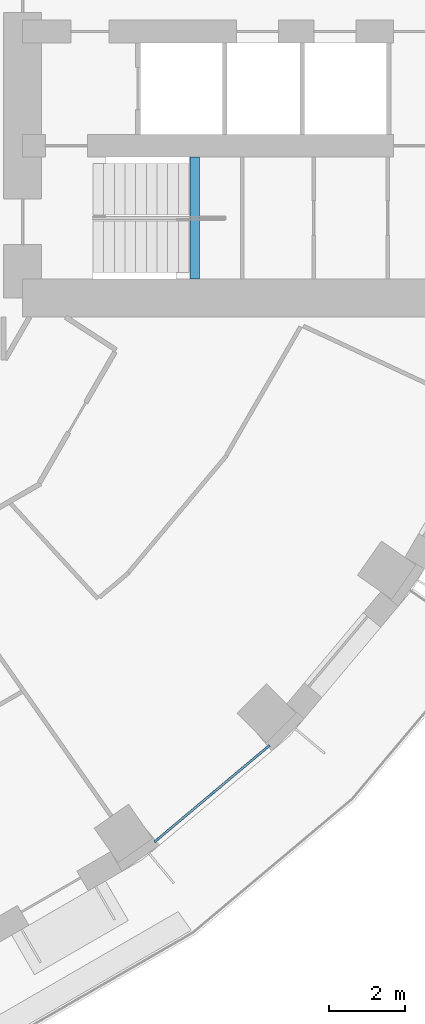
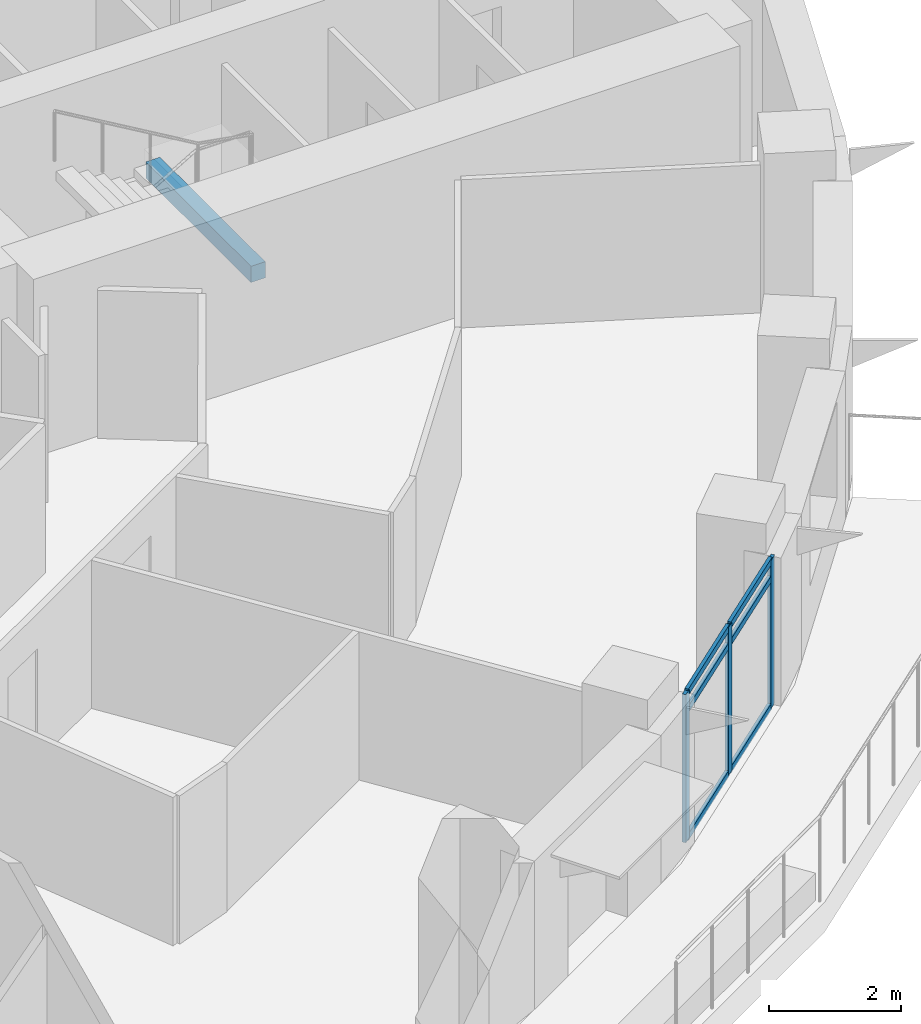
# One storey, part 3 of 16: 9 members, 1 beam, 1 element without a shape of its own.
"""IFC4 building model written with IfcOpenShell, lengths in metres."""

import ifcopenshell
import ifcopenshell.guid

model = None  # the IFC model being written
_history = None  # IfcOwnerHistory: only IFC2X3 demands one
_inside = {}  # id of a spatial element -> (the spatial element, [elements in it])
_under = {}  # id of a project, library or spatial element -> (it, [spatial elements below it])
_declared = {}  # id of a project -> (the project, [libraries it declares])
_typed = {}  # id of a type object -> (the type object, [elements of that type])
_made_of = {}  # id of a material, layer set ... -> (it, [elements and type objects made of it])


def new_model(schema):
    """Start an empty IFC model of exactly this schema.

    Asked for "IFC4X3", IfcOpenShell would pick the latest addendum, in which some entities
    have other attributes; the version numbers below select the first issue.
    IFC2X3 requires an IfcOwnerHistory on every rooted entity: one is made here for all.
    """
    global model, _history
    if schema == "IFC4X3":
        model = ifcopenshell.file(schema_version=(4, 3, 0, 0))
    else:
        model = ifcopenshell.file(schema=schema)
    _inside.clear()
    _under.clear()
    _declared.clear()
    _typed.clear()
    _made_of.clear()
    _history = None
    if model.schema == "IFC2X3":
        org = make("IfcOrganization", Name="unknown")
        user = make(
            "IfcPersonAndOrganization",
            ThePerson=make("IfcPerson", FamilyName="unknown"),
            TheOrganization=org,
        )
        app = make(
            "IfcApplication",
            ApplicationDeveloper=org,
            Version="unknown",
            ApplicationFullName="unknown",
            ApplicationIdentifier="unknown",
        )
        _history = make(
            "IfcOwnerHistory",
            OwningUser=user,
            OwningApplication=app,
            ChangeAction="ADDED",
            CreationDate=0,
        )
    return model


def make(cls, **values):
    """One entity of the class cls with the attributes given. An attribute that is None is left unset."""
    return model.create_entity(
        cls, **{name: value for name, value in values.items() if value is not None}
    )


def rooted(cls, **values):
    """An entity with a GlobalId (a new one), such as an element, a storey or a relation."""
    return make(cls, GlobalId=ifcopenshell.guid.new(), OwnerHistory=_history, **values)


def si_unit(unit_type, name, prefix=None):
    """IfcSIUnit, for example si_unit("LENGTHUNIT", "METRE", prefix="MILLI")."""
    return make("IfcSIUnit", UnitType=unit_type, Prefix=prefix, Name=name)


def assignment(units):
    """IfcUnitAssignment: the units of a project."""
    return None if units is None else make("IfcUnitAssignment", Units=units)


def point(xyz):
    """IfcCartesianPoint."""
    return None if xyz is None else make("IfcCartesianPoint", Coordinates=xyz)


def direction(xyz):
    """IfcDirection."""
    return None if xyz is None else make("IfcDirection", DirectionRatios=xyz)


def frame(location, z_axis=None, x_axis=None):
    """IfcAxis2Placement3D, a coordinate frame: its origin and axes. An axis left out is left unset."""
    return make(
        "IfcAxis2Placement3D",
        Location=point(location),
        Axis=direction(z_axis),
        RefDirection=direction(x_axis),
    )


def frame_2d(location, x_axis=None):
    """IfcAxis2Placement2D, a coordinate frame in the plane: its origin and x axis."""
    return make(
        "IfcAxis2Placement2D", Location=point(location), RefDirection=direction(x_axis)
    )


def origin():
    """The frame at (0, 0, 0) with its axes left unset."""
    return frame((0.0, 0.0, 0.0))


def origin_2d():
    """The frame at (0, 0) in the plane with its x axis left unset."""
    return frame_2d((0.0, 0.0))


def place(relative_to, where):
    """IfcLocalPlacement: puts the frame where relative to a parent placement (None: the world)."""
    return make(
        "IfcLocalPlacement", PlacementRelTo=relative_to, RelativePlacement=where
    )


def context(
    kind, dimensions, precision=None, world=None, true_north=None, identifier=None
):
    """IfcGeometricRepresentationContext, for example the 3D "Model" context."""
    return make(
        "IfcGeometricRepresentationContext",
        ContextIdentifier=identifier,
        ContextType=kind,
        CoordinateSpaceDimension=dimensions,
        Precision=precision,
        WorldCoordinateSystem=world,
        TrueNorth=true_north,
    )


def subcontext(parent, identifier, kind, view, scale=None):
    """IfcGeometricRepresentationSubContext, for example "Body" below "Model"."""
    return make(
        "IfcGeometricRepresentationSubContext",
        ContextIdentifier=identifier,
        ContextType=kind,
        ParentContext=parent,
        TargetScale=scale,
        TargetView=view,
    )


def project(units=None, contexts=None):
    """IfcProject with its units and contexts."""
    return rooted(
        "IfcProject",
        Name="project",
        RepresentationContexts=contexts,
        UnitsInContext=assignment(units),
    )


def spatial(cls, under=None, at=None, **own):
    """A site, building, storey or space (cls), placed at a placement, below another one or the project."""
    s = rooted(cls, ObjectPlacement=at, **own)
    if under is not None:
        _under.setdefault(under.id(), (under, []))[1].append(s)
    return s


def profile(cls, at=None, kind="AREA", **sizes):
    """A parametric profile (cls). Its sizes go by their IFC names, for example OverallWidth=200.0."""
    return make(cls, ProfileType=kind, Position=at, **sizes)


def rectangle(**sizes):
    """IfcRectangleProfileDef."""
    return profile("IfcRectangleProfileDef", **sizes)


def extrude(swept, where, along, depth):
    """IfcExtrudedAreaSolid: the profile swept, set in the frame where, extruded along a direction by depth."""
    return make(
        "IfcExtrudedAreaSolid",
        SweptArea=swept,
        Position=where,
        ExtrudedDirection=direction(along),
        Depth=depth,
    )


def shape(context_of_items, identifier, shape_type, items):
    """IfcShapeRepresentation: the items that make up one representation, for example the "Body"."""
    return make(
        "IfcShapeRepresentation",
        ContextOfItems=context_of_items,
        RepresentationIdentifier=identifier,
        RepresentationType=shape_type,
        Items=items,
    )


def material(Name=None, Category=None):
    """IfcMaterial."""
    return make("IfcMaterial", Name=Name, Category=Category)


def layer(
    of_material, thickness, ventilated=None, Name=None, Category=None, Priority=None
):
    """IfcMaterialLayer: one layer of a wall or slab, of a material (None: an air gap)."""
    return make(
        "IfcMaterialLayer",
        Material=of_material,
        LayerThickness=thickness,
        IsVentilated=ventilated,
        Name=Name,
        Category=Category,
        Priority=Priority,
    )


def layer_set(layers, Name=None):
    """IfcMaterialLayerSet."""
    return make("IfcMaterialLayerSet", MaterialLayers=layers, LayerSetName=Name)


def material_profile(
    of_material, cross_section, Name=None, Category=None, Priority=None
):
    """IfcMaterialProfile: a cross section and its material."""
    return make(
        "IfcMaterialProfile",
        Name=Name,
        Material=of_material,
        Profile=cross_section,
        Priority=Priority,
        Category=Category,
    )


def profile_set(profiles, Name=None, composite=None):
    """IfcMaterialProfileSet."""
    return make(
        "IfcMaterialProfileSet",
        Name=Name,
        MaterialProfiles=profiles,
        CompositeProfile=composite,
    )


def made_of(thing, what):
    """Note that an element or type object is made of a material, layer set ...; save() writes the relation."""
    if what is not None:
        _made_of.setdefault(what.id(), (what, []))[1].append(thing)
    return thing


def type_object(cls, material=None, **own):
    """A type object (cls), such as IfcWallType, which elements share."""
    return made_of(rooted(cls, **own), material)


def element(
    cls,
    number,
    at=None,
    inside=None,
    cuts=None,
    type_object=None,
    material=None,
    context=None,
    identifier="Body",
    shape_type=None,
    held_by="IfcProductDefinitionShape",
    body=None,
    shapes=None,
    **own,
):
    """One element of the class cls, such as IfcWall. Its Tag is "e" and its number.

    at: its placement. inside: the storey or other place that contains it. cuts: it is an
    opening in that element (IfcRelVoidsElement). A single representation is given by context,
    identifier, shape_type and body (its items); several are given by shapes. held_by: the class
    of the entity that holds the representations. save() writes the other relations.
    """
    e = rooted(cls, Tag="e%d" % number, ObjectPlacement=at, **own)
    if body is not None:
        shapes = [shape(context, identifier, shape_type, body)]
    if shapes is not None:
        e.Representation = make(held_by, Representations=shapes)
    if inside is not None:
        _inside.setdefault(inside.id(), (inside, []))[1].append(e)
    if cuts is not None:
        rooted(
            "IfcRelVoidsElement", RelatingBuildingElement=cuts, RelatedOpeningElement=e
        )
    if type_object is not None:
        _typed.setdefault(type_object.id(), (type_object, []))[1].append(e)
    return made_of(e, material)


def aggregate(whole, parts):
    """IfcRelAggregates: a whole, such as a stair, and the parts it consists of."""
    return rooted("IfcRelAggregates", RelatingObject=whole, RelatedObjects=parts)


def save(model, path):
    """Write the relations noted so far, then the file.

    IfcRelAggregates (storeys below a building ...), IfcRelContainedInSpatialStructure (elements
    in a storey), IfcRelDefinesByType, IfcRelAssociatesMaterial and IfcRelDeclares: one each for
    every whole, place, type object, material and project.
    """
    for whole, parts in _under.values():
        aggregate(whole, parts)
    for where, things in _inside.values():
        rooted(
            "IfcRelContainedInSpatialStructure",
            RelatedElements=things,
            RelatingStructure=where,
        )
    for kind, things in _typed.values():
        rooted("IfcRelDefinesByType", RelatedObjects=things, RelatingType=kind)
    for what, things in _made_of.values():
        rooted("IfcRelAssociatesMaterial", RelatedObjects=things, RelatingMaterial=what)
    for by, libraries in _declared.values():
        rooted("IfcRelDeclares", RelatingContext=by, RelatedDefinitions=libraries)
    model.write(path)


model = new_model("IFC4")

# Units and contexts
model_context = context("Model", 3, precision=1e-05, world=origin(), true_north=direction((0.0, 1.0)))
body_context = subcontext(model_context, "Body", "Model", "MODEL_VIEW")
ifc_project = project(units=[si_unit("LENGTHUNIT", "METRE"), si_unit("AREAUNIT", "SQUARE_METRE"), si_unit("VOLUMEUNIT", "CUBIC_METRE"), si_unit("PLANEANGLEUNIT", "RADIAN"), si_unit("MASSUNIT", "GRAM", prefix="KILO")], contexts=[model_context])

# Site, building, storey
site_placement = place(None, origin())
site = spatial("IfcSite", under=ifc_project, at=site_placement, CompositionType="ELEMENT")
building_placement = place(site_placement, origin())
building = spatial("IfcBuilding", under=site, at=building_placement, Name="Saqina Gate Tower", CompositionType="ELEMENT")
storey_placement = place(building_placement, frame((0.0, 0.0, 32.89990234375)))
storey = spatial("IfcBuildingStorey", under=building, at=storey_placement, Name="L08", CompositionType="ELEMENT", Elevation=32.89990234375)

# Curtain wall, members
ifc_material_1 = material(Name="Aluminium glazing", Category="aluminium")
ifc_layer = layer(ifc_material_1, 0.159912109375)
ifc_layer_set = layer_set([ifc_layer], Name="CWT-4")
curtain_wall_type = type_object("IfcCurtainWallType", Name="CWT-4", PredefinedType="NOTDEFINED", material=ifc_layer_set)
curtain_wall_placement = place(storey_placement, origin())
curtain_wall = element("IfcCurtainWall", 1, at=curtain_wall_placement, inside=storey, type_object=curtain_wall_type, Name="Terrace lounge glazing facet 31", PredefinedType="NOTDEFINED")
ifc_material_2 = material(Name="Aluminium", Category="aluminium")
ifc_material_profile_1 = material_profile(ifc_material_2, rectangle(XDim=0.06005859375, YDim=0.159912109375, at=origin_2d()), Name="Aluminium 60x160")
ifc_profile_set_1 = profile_set([ifc_material_profile_1], Name="Aluminium")
member_type_1 = type_object("IfcMemberType", Name="CWT-4M", PredefinedType="MULLION", material=ifc_profile_set_1)
member_1_placement = place(storey_placement, frame((17.0234375, -23.232666015625, 0.0), z_axis=(0.0, 0.0, 1.0), x_axis=(-0.642791970033, 0.766040784332, 0.0)))
member_1 = element("IfcMember", 2, at=member_1_placement, type_object=member_type_1, Name="CW4-31 mullion 1", PredefinedType="MULLION", context=body_context, shape_type="SweptSolid", body=[
    extrude(rectangle(XDim=0.06005859375, YDim=0.159912109375, at=origin_2d()), origin(), (0.0, 0.0, 1.0), 2.75),
])
member_2_placement = place(storey_placement, frame((18.473388671875, -22.015869140625, 0.0), z_axis=(0.0, 0.0, 1.0), x_axis=(-0.642791970033, 0.766040784332, 0.0)))
member_2 = element("IfcMember", 3, at=member_2_placement, type_object=member_type_1, Name="CW4-31 mullion 2", PredefinedType="MULLION", context=body_context, shape_type="SweptSolid", body=[
    extrude(rectangle(XDim=0.06005859375, YDim=0.159912109375, at=origin_2d()), origin(), (0.0, 0.0, 1.0), 2.75),
])
member_3_placement = place(storey_placement, frame((19.923583984375, -20.799072265625, 0.0), z_axis=(0.0, 0.0, 1.0), x_axis=(-0.642791970033, 0.766040784332, 0.0)))
member_3 = element("IfcMember", 4, at=member_3_placement, type_object=member_type_1, Name="CW4-31 mullion 3", PredefinedType="MULLION", context=body_context, shape_type="SweptSolid", body=[
    extrude(rectangle(XDim=0.06005859375, YDim=0.159912109375, at=origin_2d()), origin(), (0.0, 0.0, 1.0), 2.75),
])
ifc_material_3 = material(Name="Aluminium", Category="aluminium")
ifc_material_profile_2 = material_profile(ifc_material_3, rectangle(XDim=0.06005859375, YDim=0.1201171875, at=origin_2d()), Name="Aluminium 60x120")
ifc_profile_set_2 = profile_set([ifc_material_profile_2], Name="Aluminium")
member_type_2 = type_object("IfcMemberType", Name="CWT-4T", PredefinedType="USERDEFINED", material=ifc_profile_set_2)
member_4_placement = place(storey_placement, frame((17.04638671875, -23.21337890625, 0.030029296875), z_axis=(0.766022272785, 0.642814030336, 0.0), x_axis=(-0.642814030336, 0.766022272785, 0.0)))
member_4 = element("IfcMember", 5, at=member_4_placement, type_object=member_type_2, Name="CW4-31 transom 1.1", ObjectType="TRANSOM", PredefinedType="USERDEFINED", context=body_context, shape_type="SweptSolid", body=[
    extrude(rectangle(XDim=0.06005859375, YDim=0.1201171875, at=origin_2d()), origin(), (0.0, 0.0, 1.0), 1.8330078125),
])
member_5_placement = place(storey_placement, frame((17.04638671875, -23.21337890625, 2.400146484375), z_axis=(0.766022272785, 0.642814030336, 0.0), x_axis=(-0.642814030336, 0.766022272785, 0.0)))
member_5 = element("IfcMember", 6, at=member_5_placement, type_object=member_type_2, Name="CW4-31 transom 1.2", ObjectType="TRANSOM", PredefinedType="USERDEFINED", context=body_context, shape_type="SweptSolid", body=[
    extrude(rectangle(XDim=0.06005859375, YDim=0.1201171875, at=origin_2d()), origin(), (0.0, 0.0, 1.0), 1.8330078125),
])
member_6_placement = place(storey_placement, frame((17.04638671875, -23.21337890625, 2.72021484375), z_axis=(0.766022272785, 0.642814030336, 0.0), x_axis=(-0.642814030336, 0.766022272785, 0.0)))
member_6 = element("IfcMember", 7, at=member_6_placement, type_object=member_type_2, Name="CW4-31 transom 1.3", ObjectType="TRANSOM", PredefinedType="USERDEFINED", context=body_context, shape_type="SweptSolid", body=[
    extrude(rectangle(XDim=0.06005859375, YDim=0.1201171875, at=origin_2d()), origin(), (0.0, 0.0, 1.0), 1.8330078125),
])
member_7_placement = place(storey_placement, frame((18.496337890625, -21.99658203125, 0.030029296875), z_axis=(0.766077303133, 0.642748446614, 0.0), x_axis=(-0.642748446614, 0.766077303133, 0.0)))
member_7 = element("IfcMember", 8, at=member_7_placement, type_object=member_type_2, Name="CW4-31 transom 2.1", ObjectType="TRANSOM", PredefinedType="USERDEFINED", context=body_context, shape_type="SweptSolid", body=[
    extrude(rectangle(XDim=0.06005859375, YDim=0.1201171875, at=origin_2d()), origin(), (0.0, 0.0, 1.0), 1.8330078125),
])
member_8_placement = place(storey_placement, frame((18.496337890625, -21.99658203125, 2.400146484375), z_axis=(0.766077303133, 0.642748446614, 0.0), x_axis=(-0.642748446614, 0.766077303133, 0.0)))
member_8 = element("IfcMember", 9, at=member_8_placement, type_object=member_type_2, Name="CW4-31 transom 2.2", ObjectType="TRANSOM", PredefinedType="USERDEFINED", context=body_context, shape_type="SweptSolid", body=[
    extrude(rectangle(XDim=0.06005859375, YDim=0.1201171875, at=origin_2d()), origin(), (0.0, 0.0, 1.0), 1.8330078125),
])
member_9_placement = place(storey_placement, frame((18.496337890625, -21.99658203125, 2.72021484375), z_axis=(0.766077303133, 0.642748446614, 0.0), x_axis=(-0.642748446614, 0.766077303133, 0.0)))
member_9 = element("IfcMember", 10, at=member_9_placement, type_object=member_type_2, Name="CW4-31 transom 2.3", ObjectType="TRANSOM", PredefinedType="USERDEFINED", context=body_context, shape_type="SweptSolid", body=[
    extrude(rectangle(XDim=0.06005859375, YDim=0.1201171875, at=origin_2d()), origin(), (0.0, 0.0, 1.0), 1.8330078125),
])
aggregate(curtain_wall, [member_1, member_2, member_3, member_4, member_5, member_6, member_7, member_8, member_9])

# Beam
ifc_material_4 = material(Name="Concrete C40/50", Category="concrete")
ifc_material_profile_3 = material_profile(ifc_material_4, rectangle(XDim=0.25, YDim=0.300048828125, at=origin_2d()), Name="STAIR LANDING BEAM")
ifc_profile_set_3 = profile_set([ifc_material_profile_3], Name="Concrete C40/50")
beam_type = type_object("IfcBeamType", Name="STAIR LANDING BEAM", PredefinedType="BEAM", material=ifc_profile_set_3)
beam_placement = place(storey_placement, frame((18.02001953125, -8.5, 1.25), z_axis=(0.0, 1.0, 0.0), x_axis=(-1.0, 0.0, 0.0)))
element("IfcBeam", 11, at=beam_placement, inside=storey, type_object=beam_type, Name="EXIT STAIR 2 LANDING BEAM", PredefinedType="BEAM", context=body_context, shape_type="SweptSolid", body=[
    extrude(rectangle(XDim=0.25, YDim=0.300048828125, at=origin_2d()), origin(), (0.0, 0.0, 1.0), 3.199951171875),
])

save(model, "model.ifc")
